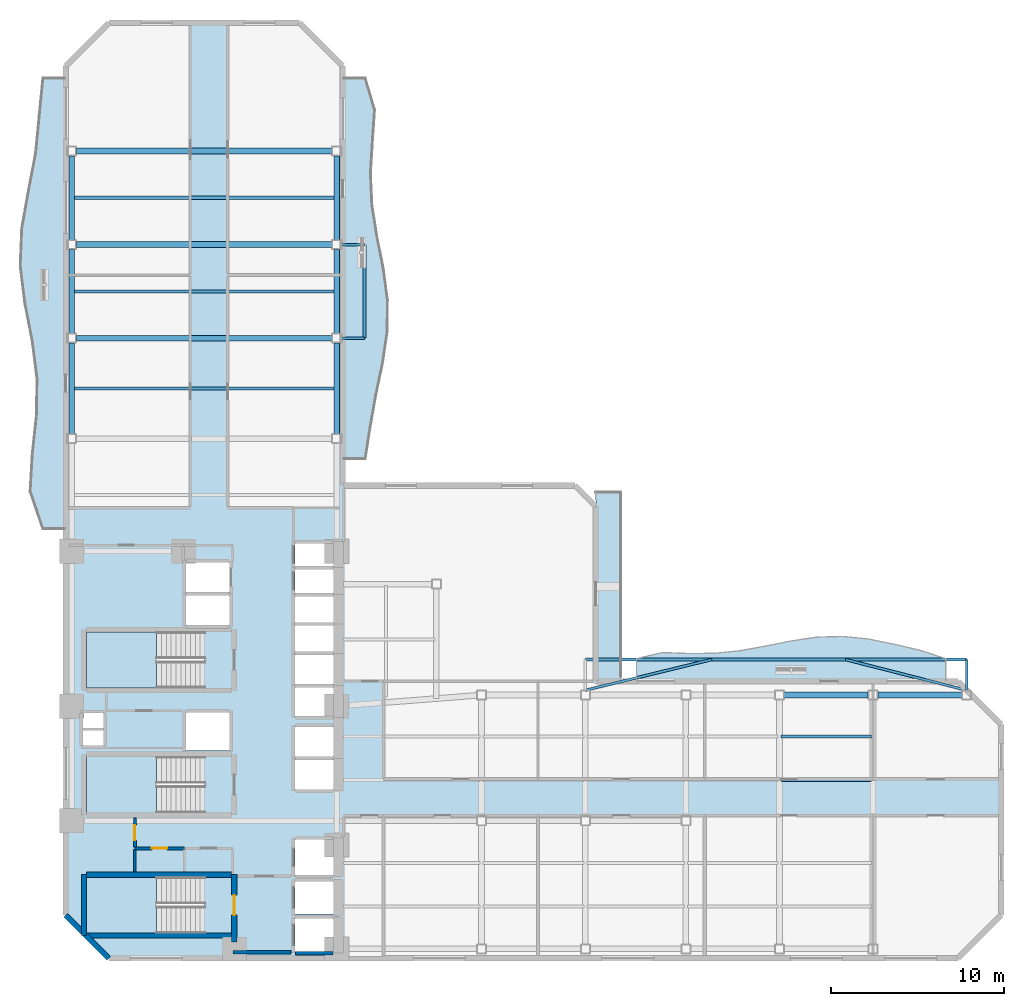
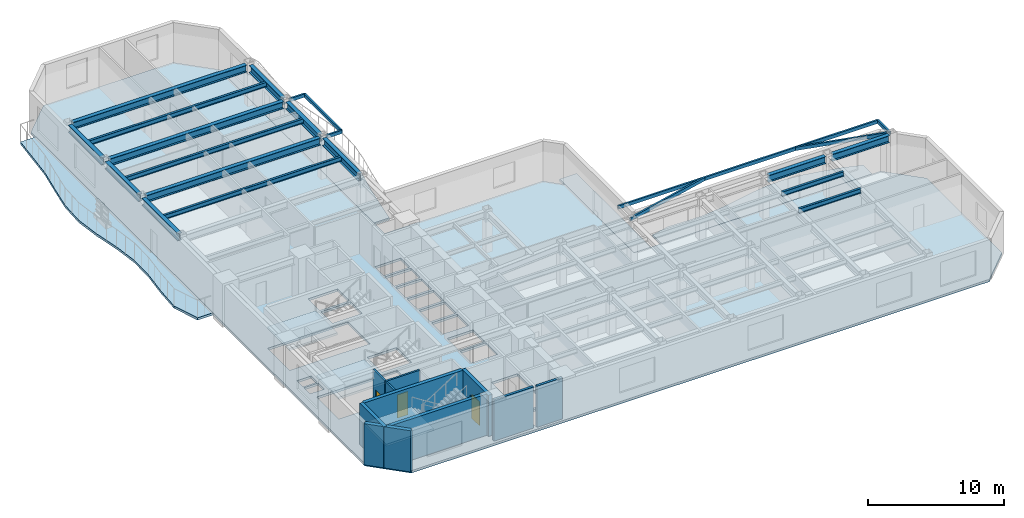
# One storey, part 2 of 10: 23 beams, 10 walls, 8 slabs, 3 doors, 3 openings, 3 elements without a shape of their own.
"""IFC4 building model written with IfcOpenShell, lengths in metres."""

from ifc_helpers import new_model, si_unit, direction, frame, frame_2d, origin, origin_2d, place, context, subcontext, project, spatial, polyline, rectangle, hollow_rectangle, i_section, outline, extrude, material, layer, layer_set, material_profile, profile_set, type_object, element, fill, aggregate, save


model = new_model("IFC4")

# Units and contexts
model_context = context("Model", 3, precision=1e-05, world=origin(), true_north=direction((0.0, 1.0)))
body_context = subcontext(model_context, "Body", "Model", "MODEL_VIEW")
ifc_project = project(units=[si_unit("LENGTHUNIT", "METRE"), si_unit("AREAUNIT", "SQUARE_METRE"), si_unit("VOLUMEUNIT", "CUBIC_METRE"), si_unit("PLANEANGLEUNIT", "RADIAN"), si_unit("MASSUNIT", "GRAM", prefix="KILO")], contexts=[model_context])

# Site, building, storey
site_placement = place(None, origin())
site = spatial("IfcSite", under=ifc_project, at=site_placement, CompositionType="ELEMENT")
building_placement = place(site_placement, origin())
building = spatial("IfcBuilding", under=site, at=building_placement, Name="Mawjaban Terraces University", CompositionType="ELEMENT")
storey_placement = place(building_placement, frame((0.0, 0.0, 50.5)))
storey = spatial("IfcBuildingStorey", under=building, at=storey_placement, Name="L11", CompositionType="ELEMENT", Elevation=50.5)

# Beams
ifc_material_1 = material(Name="Steel EN 10210-1 S355J2H", Category="steel")
ifc_material_profile_1 = material_profile(ifc_material_1, hollow_rectangle(XDim=0.14990234375, YDim=0.300048828125, WallThickness=0.012451171875, at=origin_2d()), Name="RHS300X150X12.5")
ifc_profile_set_1 = profile_set([ifc_material_profile_1], Name="Steel EN 10210-1 S355J2H")
beam_type_1 = type_object("IfcBeamType", Name="BalconyCantileverSpandrel_RHS", PredefinedType="SPANDREL", material=ifc_profile_set_1)
beam_1_placement = place(storey_placement, frame((74.0, 15.47509765625, 3.5400390625), z_axis=(0.0, 1.0, 0.0), x_axis=(-1.0, 0.0, 0.0)))
element("IfcBeam", 1, at=beam_1_placement, inside=storey, type_object=beam_type_1, Name="L11 Exterior Outrigger BAL-L12-N.2", PredefinedType="SPANDREL", context=body_context, shape_type="SweptSolid", body=[
    extrude(hollow_rectangle(XDim=0.14990234375, YDim=0.300048828125, WallThickness=0.012451171875, at=origin_2d()), origin(), (0.0, 0.0, 1.0), 1.77490234375),
])
beam_2_placement = place(storey_placement, frame((52.0, 17.25, 3.5400390625), z_axis=(1.0, 0.0, 0.0), x_axis=(0.0, 1.0, 0.0)))
element("IfcBeam", 2, at=beam_2_placement, inside=storey, type_object=beam_type_1, Name="L11 Exterior Edge Spandrel BAL-L12-N", PredefinedType="SPANDREL", context=body_context, shape_type="SweptSolid", body=[
    extrude(hollow_rectangle(XDim=0.14990234375, YDim=0.300048828125, WallThickness=0.012451171875, at=origin_2d()), origin(), (0.0, 0.0, 1.0), 22.0),
])
beam_3_placement = place(storey_placement, frame((52.0, 15.47509765625, 3.5400390625), z_axis=(0.971617089305, 0.236559150678, 0.0), x_axis=(-0.236559150678, 0.971617089305, 0.0)))
element("IfcBeam", 3, at=beam_3_placement, inside=storey, type_object=beam_type_1, Name="L11 Exterior Diagonal Strut BAL-L12-N.1", PredefinedType="SPANDREL", context=body_context, shape_type="SweptSolid", body=[
    extrude(hollow_rectangle(XDim=0.14990234375, YDim=0.300048828125, WallThickness=0.012451171875, at=origin_2d()), origin(), (0.0, 0.0, 1.0), 7.5029296875),
])
beam_4_placement = place(storey_placement, frame((74.0, 15.47509765625, 3.5400390625), z_axis=(-0.96924179348, 0.246110434096, 0.0), x_axis=(-0.246110434096, -0.96924179348, 0.0)))
element("IfcBeam", 4, at=beam_4_placement, inside=storey, type_object=beam_type_1, Name="L11 Exterior Diagonal Strut BAL-L12-N.2", PredefinedType="SPANDREL", context=body_context, shape_type="SweptSolid", body=[
    extrude(hollow_rectangle(XDim=0.14990234375, YDim=0.300048828125, WallThickness=0.012451171875, at=origin_2d()), origin(), (0.0, 0.0, 1.0), 7.2119140625),
])
for number, where, z_axis, x_axis, name in (
    (5, (37.925048828125, 35.800048828125, 3.5400390625), (1.0, 0.0, 0.0), (0.0, 1.0, 0.0), "L11 Exterior Outrigger BAL-L12-E.1"),
    (6, (37.925048828125, 41.199951171875, 3.5400390625), (1.0, 0.0, 0.0), (0.0, 1.0, 0.0), "L11 Exterior Outrigger BAL-L12-E.2"),
):
    element("IfcBeam", number, at=place(storey_placement, frame(where, z_axis=z_axis, x_axis=x_axis)), inside=storey, type_object=beam_type_1, Name=name, PredefinedType="SPANDREL", context=body_context, shape_type="SweptSolid", body=[
        extrude(hollow_rectangle(XDim=0.14990234375, YDim=0.300048828125, WallThickness=0.012451171875, at=origin_2d()), origin(), (0.0, 0.0, 1.0), 1.324951171875),
    ])
beam_5_placement = place(storey_placement, frame((39.25, 35.800048828125, 3.5400390625), z_axis=(0.0, 1.0, 0.0), x_axis=(-1.0, 0.0, 0.0)))
element("IfcBeam", 7, at=beam_5_placement, inside=storey, type_object=beam_type_1, Name="L11 Exterior Edge Spandrel BAL-L12-E", PredefinedType="SPANDREL", context=body_context, shape_type="SweptSolid", body=[
    extrude(hollow_rectangle(XDim=0.14990234375, YDim=0.300048828125, WallThickness=0.012451171875, at=origin_2d()), origin(), (0.0, 0.0, 1.0), 5.39990234375),
])
ifc_material_2 = material(Name="Steel ASTM A572 Grade 50", Category="steel")
ifc_material_profile_2 = material_profile(ifc_material_2, i_section(OverallWidth=0.3291015625, OverallDepth=0.635009765625, WebThickness=0.017822265625, FlangeThickness=0.031005859375, at=origin_2d()), Name="W610X241")
ifc_profile_set_2 = profile_set([ifc_material_profile_2], Name="Steel ASTM A572 Grade 50")
beam_type_2 = type_object("IfcBeamType", Name="Beam_B_W610X241", PredefinedType="BEAM", material=ifc_profile_set_2)
beam_6_placement = place(storey_placement, frame((63.47509765625, 15.199951171875, 3.3720703125), z_axis=(1.0, 0.0, 0.0), x_axis=(0.0, 1.0, 0.0)))
element("IfcBeam", 8, at=beam_6_placement, inside=storey, type_object=beam_type_2, Name="L11 Beam BM-L11-EW-12", PredefinedType="BEAM", context=body_context, shape_type="SweptSolid", body=[
    extrude(i_section(OverallWidth=0.3291015625, OverallDepth=0.635009765625, WebThickness=0.017822265625, FlangeThickness=0.031005859375, at=origin_2d()), origin(), (0.0, 0.0, 1.0), 4.849853515625),
])
beam_7_placement = place(storey_placement, frame((68.875, 15.199951171875, 3.3720703125), z_axis=(1.0, 0.0, 0.0), x_axis=(0.0, 1.0, 0.0)))
element("IfcBeam", 9, at=beam_7_placement, inside=storey, type_object=beam_type_2, Name="L11 Beam BM-L11-EW-13", PredefinedType="BEAM", context=body_context, shape_type="SweptSolid", body=[
    extrude(i_section(OverallWidth=0.3291015625, OverallDepth=0.635009765625, WebThickness=0.017822265625, FlangeThickness=0.031005859375, at=origin_2d()), origin(), (0.0, 0.0, 1.0), 4.85009765625),
])
for number, where, z_axis, x_axis, name in (
    (10, (22.625, 35.800048828125, 3.3720703125), (1.0, 0.0, 0.0), (0.0, 1.0, 0.0), "L11 Beam BM-L11-EW-16"),
    (11, (22.625, 41.199951171875, 3.3720703125), (1.0, 0.0, 0.0), (0.0, 1.0, 0.0), "L11 Beam BM-L11-EW-17"),
    (12, (22.625, 46.60009765625, 3.3720703125), (1.0, 0.0, 0.0), (0.0, 1.0, 0.0), "L11 Beam BM-L11-EW-18"),
):
    element("IfcBeam", number, at=place(storey_placement, frame(where, z_axis=z_axis, x_axis=x_axis)), inside=storey, type_object=beam_type_2, Name=name, PredefinedType="BEAM", context=body_context, shape_type="SweptSolid", body=[
        extrude(i_section(OverallWidth=0.3291015625, OverallDepth=0.635009765625, WebThickness=0.017822265625, FlangeThickness=0.031005859375, at=origin_2d()), origin(), (0.0, 0.0, 1.0), 14.75),
    ])
beam_8_placement = place(storey_placement, frame((22.35009765625, 30.27490234375, 3.3720703125), z_axis=(0.0, 1.0, 0.0), x_axis=(-1.0, 0.0, 0.0)))
element("IfcBeam", 13, at=beam_8_placement, inside=storey, type_object=beam_type_2, Name="L11 Beam BM-L11-NS-04", PredefinedType="BEAM", context=body_context, shape_type="SweptSolid", body=[
    extrude(i_section(OverallWidth=0.3291015625, OverallDepth=0.635009765625, WebThickness=0.017822265625, FlangeThickness=0.031005859375, at=origin_2d()), origin(), (0.0, 0.0, 1.0), 5.25),
])
beam_9_placement = place(storey_placement, frame((22.35009765625, 36.074951171875, 3.3720703125), z_axis=(0.0, 1.0, 0.0), x_axis=(-1.0, 0.0, 0.0)))
element("IfcBeam", 14, at=beam_9_placement, inside=storey, type_object=beam_type_2, Name="L11 Beam BM-L11-NS-05", PredefinedType="BEAM", context=body_context, shape_type="SweptSolid", body=[
    extrude(i_section(OverallWidth=0.3291015625, OverallDepth=0.635009765625, WebThickness=0.017822265625, FlangeThickness=0.031005859375, at=origin_2d()), origin(), (0.0, 0.0, 1.0), 4.85009765625),
])
beam_10_placement = place(storey_placement, frame((22.35009765625, 41.47509765625, 3.3720703125), z_axis=(0.0, 1.0, 0.0), x_axis=(-1.0, 0.0, 0.0)))
element("IfcBeam", 15, at=beam_10_placement, inside=storey, type_object=beam_type_2, Name="L11 Beam BM-L11-NS-06", PredefinedType="BEAM", context=body_context, shape_type="SweptSolid", body=[
    extrude(i_section(OverallWidth=0.3291015625, OverallDepth=0.635009765625, WebThickness=0.017822265625, FlangeThickness=0.031005859375, at=origin_2d()), origin(), (0.0, 0.0, 1.0), 4.849853515625),
])
beam_11_placement = place(storey_placement, frame((37.64990234375, 30.27490234375, 3.3720703125), z_axis=(0.0, 1.0, 0.0), x_axis=(-1.0, 0.0, 0.0)))
element("IfcBeam", 16, at=beam_11_placement, inside=storey, type_object=beam_type_2, Name="L11 Beam BM-L11-NS-11", PredefinedType="BEAM", context=body_context, shape_type="SweptSolid", body=[
    extrude(i_section(OverallWidth=0.3291015625, OverallDepth=0.635009765625, WebThickness=0.017822265625, FlangeThickness=0.031005859375, at=origin_2d()), origin(), (0.0, 0.0, 1.0), 5.25),
])
beam_12_placement = place(storey_placement, frame((37.64990234375, 36.074951171875, 3.3720703125), z_axis=(0.0, 1.0, 0.0), x_axis=(-1.0, 0.0, 0.0)))
element("IfcBeam", 17, at=beam_12_placement, inside=storey, type_object=beam_type_2, Name="L11 Beam BM-L11-NS-12", PredefinedType="BEAM", context=body_context, shape_type="SweptSolid", body=[
    extrude(i_section(OverallWidth=0.3291015625, OverallDepth=0.635009765625, WebThickness=0.017822265625, FlangeThickness=0.031005859375, at=origin_2d()), origin(), (0.0, 0.0, 1.0), 4.85009765625),
])
beam_13_placement = place(storey_placement, frame((37.64990234375, 41.47509765625, 3.3720703125), z_axis=(0.0, 1.0, 0.0), x_axis=(-1.0, 0.0, 0.0)))
element("IfcBeam", 18, at=beam_13_placement, inside=storey, type_object=beam_type_2, Name="L11 Beam BM-L11-NS-13", PredefinedType="BEAM", context=body_context, shape_type="SweptSolid", body=[
    extrude(i_section(OverallWidth=0.3291015625, OverallDepth=0.635009765625, WebThickness=0.017822265625, FlangeThickness=0.031005859375, at=origin_2d()), origin(), (0.0, 0.0, 1.0), 4.849853515625),
])
ifc_material_profile_3 = material_profile(ifc_material_2, i_section(OverallWidth=0.179931640625, OverallDepth=0.4130859375, WebThickness=0.009765625, FlangeThickness=0.01611328125, at=origin_2d()), Name="W410X74")
ifc_profile_set_3 = profile_set([ifc_material_profile_3], Name="Steel ASTM A572 Grade 50")
beam_type_3 = type_object("IfcBeamType", Name="Beam_J_W410X74", PredefinedType="JOIST", material=ifc_profile_set_3)
for number, where, z_axis, x_axis, name in (
    (19, (63.280029296875, 10.300048828125, 3.48291015625), (1.0, 0.0, 0.0), (0.0, 1.0, 0.0), "L11 Composite Joist JST-L11-15"),
    (20, (63.280029296875, 12.800048828125, 3.48291015625), (1.0, 0.0, 0.0), (0.0, 1.0, 0.0), "L11 Composite Joist JST-L11-20"),
):
    element("IfcBeam", number, at=place(storey_placement, frame(where, z_axis=z_axis, x_axis=x_axis)), inside=storey, type_object=beam_type_3, Name=name, PredefinedType="JOIST", context=body_context, shape_type="SweptSolid", body=[
        extrude(i_section(OverallWidth=0.179931640625, OverallDepth=0.4130859375, WebThickness=0.009765625, FlangeThickness=0.01611328125, at=origin_2d()), origin(), (0.0, 0.0, 1.0), 5.239990234375),
    ])
for number, where, z_axis, x_axis, name in (
    (21, (22.429931640625, 32.89990234375, 3.48291015625), (1.0, 0.0, 0.0), (0.0, 1.0, 0.0), "L11 Composite Joist JST-L11-23"),
    (22, (22.429931640625, 38.5, 3.48291015625), (1.0, 0.0, 0.0), (0.0, 1.0, 0.0), "L11 Composite Joist JST-L11-24"),
    (23, (22.429931640625, 43.89990234375, 3.48291015625), (1.0, 0.0, 0.0), (0.0, 1.0, 0.0), "L11 Composite Joist JST-L11-25"),
):
    element("IfcBeam", number, at=place(storey_placement, frame(where, z_axis=z_axis, x_axis=x_axis)), inside=storey, type_object=beam_type_3, Name=name, PredefinedType="JOIST", context=body_context, shape_type="SweptSolid", body=[
        extrude(i_section(OverallWidth=0.179931640625, OverallDepth=0.4130859375, WebThickness=0.009765625, FlangeThickness=0.01611328125, at=origin_2d()), origin(), (0.0, 0.0, 1.0), 15.14013671875),
    ])

# Slabs
ifc_material_3 = material(Name="Concrete C40/50", Category="concrete")
ifc_layer_1 = layer(ifc_material_3, 0.2099609375)
ifc_layer_set_1 = layer_set([ifc_layer_1], Name="Concrete C40/50")
slab_type_1 = type_object("IfcSlabType", Name="BalconySlab_210_Ext", PredefinedType="FLOOR", material=ifc_layer_set_1)
slab_1_placement = place(storey_placement, frame((0.0, 0.0, -0.2099609375)))
element("IfcSlab", 24, at=slab_1_placement, inside=storey, type_object=slab_type_1, Name="L11 Planted Balcony Slab west", PredefinedType="FLOOR", context=body_context, shape_type="SweptSolid", body=[
    extrude(outline(polyline([(22.010009765625, 24.800048828125), (22.010009765625, 50.800048828125), (20.699951171875, 50.800048828125), (20.489013671875, 48.633056640625), (20.280029296875, 46.467041015625), (19.864990234375, 44.300048828125), (19.48095703125, 42.133056640625), (19.39306640625, 39.967041015625), (19.6630859375, 37.800048828125), (20.087890625, 35.633056640625), (20.363037109375, 33.467041015625), (20.324951171875, 31.300048828125), (20.090087890625, 29.133056640625), (19.966064453125, 26.967041015625), (20.699951171875, 24.800048828125), (22.010009765625, 24.800048828125)])), origin(), (0.0, 0.0, 1.0), 0.2099609375),
])
slab_2_placement = place(storey_placement, frame((0.0, 0.0, -0.2099609375)))
element("IfcSlab", 25, at=slab_2_placement, inside=storey, type_object=slab_type_1, Name="L11 Planted Balcony Slab inner_north", PredefinedType="FLOOR", context=body_context, shape_type="SweptSolid", body=[
    extrude(outline(polyline([(54.949951171875, 15.989990234375), (72.800048828125, 15.989990234375), (72.800048828125, 17.300048828125), (71.31201171875, 17.781005859375), (69.824951171875, 18.132080078125), (68.337890625, 18.430908203125), (66.85009765625, 18.5830078125), (65.362060546875, 18.5400390625), (63.875, 18.323974609375), (62.387939453125, 18.02392578125), (60.89990234375, 17.7548828125), (59.4130859375, 17.60595703125), (57.925048828125, 17.596923828125), (56.43798828125, 17.652099609375), (54.949951171875, 17.300048828125), (54.949951171875, 15.989990234375)])), origin(), (0.0, 0.0, 1.0), 0.2099609375),
])
slab_3_placement = place(storey_placement, frame((0.0, 0.0, -0.2099609375)))
element("IfcSlab", 26, at=slab_3_placement, inside=storey, type_object=slab_type_1, Name="L11 Planted Balcony Slab inner_east", PredefinedType="FLOOR", context=body_context, shape_type="SweptSolid", body=[
    extrude(outline(polyline([(39.300048828125, 28.846923828125), (39.587890625, 30.676025390625), (39.908935546875, 32.506103515625), (40.294921875, 34.3349609375), (40.56689453125, 36.1650390625), (40.583984375, 37.993896484375), (40.342041015625, 39.822998046875), (39.97802734375, 41.653076171875), (39.68798828125, 43.48193359375), (39.60595703125, 45.31201171875), (39.715087890625, 47.14111328125), (39.841064453125, 48.970947265625), (39.300048828125, 50.800048828125), (37.989990234375, 50.800048828125), (37.989990234375, 28.846923828125), (39.300048828125, 28.846923828125)])), origin(), (0.0, 0.0, 1.0), 0.2099609375),
])
ifc_layer_2 = layer(ifc_material_3, 0.2099609375)
ifc_layer_set_2 = layer_set([ifc_layer_2], Name="Concrete C40/50")
slab_type_2 = type_object("IfcSlabType", Name="CompositeSlab_210", PredefinedType="FLOOR", material=ifc_layer_set_2)
slab_4_placement = place(storey_placement, frame((0.0, 0.0, -0.2099609375)))
element("IfcSlab", 27, at=slab_4_placement, inside=storey, type_object=slab_type_2, Name="L11 Primary Structural Slab", PredefinedType="FLOOR", context=body_context, shape_type="SweptSolid", body=[
    extrude(outline(polyline([(24.5, 0.0), (73.5, 0.0), (76.0, 2.5), (76.0, 13.5), (73.5, 16.0), (52.60009765625, 16.0), (52.60009765625, 26.094970703125), (51.39990234375, 27.294921875), (38.0, 27.294921875), (38.0, 51.5), (35.5, 54.0), (24.5, 54.0), (22.0, 51.5), (22.0, 2.5), (24.5, 0.0)]), holes=[polyline([(30.014892578125, 4.699951171875), (23.199951171875, 4.699951171875), (23.199951171875, 1.449951171875), (30.014892578125, 1.449951171875), (30.014892578125, 4.699951171875)]), polyline([(30.014892578125, 18.85009765625), (23.199951171875, 18.85009765625), (23.199951171875, 15.60009765625), (30.014892578125, 15.60009765625), (30.014892578125, 18.85009765625)]), polyline([(30.014892578125, 11.64990234375), (23.199951171875, 11.64990234375), (23.199951171875, 8.39990234375), (30.014892578125, 8.39990234375), (30.014892578125, 11.64990234375)]), polyline([(35.25, 0.39990234375), (37.449951171875, 0.39990234375), (37.449951171875, 2.300048828125), (35.25, 2.300048828125), (35.25, 0.39990234375)]), polyline([(35.25, 2.550048828125), (37.449951171875, 2.550048828125), (37.449951171875, 4.449951171875), (35.25, 4.449951171875), (35.25, 2.550048828125)]), polyline([(35.25, 4.800048828125), (37.449951171875, 4.800048828125), (37.449951171875, 6.85009765625), (35.25, 6.85009765625), (35.25, 4.800048828125)]), polyline([(35.25, 9.75), (37.449951171875, 9.75), (37.449951171875, 11.449951171875), (35.25, 11.449951171875), (35.25, 9.75)]), polyline([(35.25, 11.64990234375), (37.449951171875, 11.64990234375), (37.449951171875, 13.35009765625), (35.25, 13.35009765625), (35.25, 11.64990234375)]), polyline([(28.949951171875, 12.0), (31.449951171875, 12.0), (31.449951171875, 14.199951171875), (28.949951171875, 14.199951171875), (28.949951171875, 12.0)]), polyline([(35.25, 14.0), (37.449951171875, 14.0), (37.449951171875, 15.64990234375), (35.25, 15.64990234375), (35.25, 14.0)]), polyline([(35.25, 15.85009765625), (37.449951171875, 15.85009765625), (37.449951171875, 17.5), (35.25, 17.5), (35.25, 15.85009765625)]), polyline([(35.25, 17.699951171875), (37.449951171875, 17.699951171875), (37.449951171875, 19.199951171875), (35.25, 19.199951171875), (35.25, 17.699951171875)]), polyline([(35.25, 19.39990234375), (37.449951171875, 19.39990234375), (37.449951171875, 20.89990234375), (35.25, 20.89990234375), (35.25, 19.39990234375)]), polyline([(28.949951171875, 19.25), (31.449951171875, 19.25), (31.449951171875, 20.949951171875), (28.949951171875, 20.949951171875), (28.949951171875, 19.25)]), polyline([(35.25, 21.10009765625), (37.449951171875, 21.10009765625), (37.449951171875, 22.449951171875), (35.25, 22.449951171875), (35.25, 21.10009765625)]), polyline([(35.25, 22.64990234375), (37.449951171875, 22.64990234375), (37.449951171875, 23.949951171875), (35.25, 23.949951171875), (35.25, 22.64990234375)]), polyline([(28.949951171875, 21.14990234375), (31.449951171875, 21.14990234375), (31.449951171875, 22.85009765625), (28.949951171875, 22.85009765625), (28.949951171875, 21.14990234375)]), polyline([(23.0, 12.25), (24.199951171875, 12.25), (24.199951171875, 13.14990234375), (23.0, 13.14990234375), (23.0, 12.25)]), polyline([(23.0, 13.300048828125), (24.199951171875, 13.300048828125), (24.199951171875, 14.179931640625), (23.0, 14.179931640625), (23.0, 13.300048828125)])]), origin(), (0.0, 0.0, 1.0), 0.2099609375),
])

# Stair, slab
stair_type = type_object("IfcStairType", Name="Stair_Core1550_H39", PredefinedType="HALF_TURN_STAIR", material=ifc_material_3)
stair_1_placement = place(storey_placement, origin())
stair_1 = element("IfcStair", 28, at=stair_1_placement, inside=storey, type_object=stair_type, Name="L11 Core Exit Stair 1", PredefinedType="HALF_TURN_STAIR")
ifc_layer_3 = layer(ifc_material_3, 0.199951171875)
ifc_layer_set_3 = layer_set([ifc_layer_3], Name="Concrete C40/50")
slab_type_3 = type_object("IfcSlabType", Name="StairLandingSlab_200", PredefinedType="LANDING", material=ifc_layer_set_3)
slab_5_placement = place(storey_placement, frame((0.0, 0.0, 1.75)))
slab_5 = element("IfcSlab", 29, at=slab_5_placement, type_object=slab_type_3, Name="ST-1 landing 1", PredefinedType="LANDING", context=body_context, shape_type="SweptSolid", body=[
    extrude(outline(polyline([(27.25, 4.699951171875), (23.199951171875, 4.699951171875), (23.199951171875, 1.449951171875), (27.25, 1.449951171875), (27.25, 4.699951171875)])), origin(), (0.0, 0.0, 1.0), 0.199951171875),
])
aggregate(stair_1, [slab_5])

stair_2_placement = place(storey_placement, origin())
stair_2 = element("IfcStair", 30, at=stair_2_placement, inside=storey, type_object=stair_type, Name="L11 Core Exit Stair 2", PredefinedType="HALF_TURN_STAIR")
slab_6_placement = place(storey_placement, frame((0.0, 0.0, 1.75)))
slab_6 = element("IfcSlab", 31, at=slab_6_placement, type_object=slab_type_3, Name="ST-2 landing 1", PredefinedType="LANDING", context=body_context, shape_type="SweptSolid", body=[
    extrude(outline(polyline([(27.25, 18.85009765625), (23.199951171875, 18.85009765625), (23.199951171875, 15.60009765625), (27.25, 15.60009765625), (27.25, 18.85009765625)])), origin(), (0.0, 0.0, 1.0), 0.199951171875),
])
aggregate(stair_2, [slab_6])

stair_3_placement = place(storey_placement, origin())
stair_3 = element("IfcStair", 32, at=stair_3_placement, inside=storey, type_object=stair_type, Name="L11 Core Exit Stair 3", PredefinedType="HALF_TURN_STAIR")
slab_7_placement = place(storey_placement, frame((0.0, 0.0, 1.75)))
slab_7 = element("IfcSlab", 33, at=slab_7_placement, type_object=slab_type_3, Name="ST-3 landing 1", PredefinedType="LANDING", context=body_context, shape_type="SweptSolid", body=[
    extrude(outline(polyline([(27.25, 11.64990234375), (23.199951171875, 11.64990234375), (23.199951171875, 8.39990234375), (27.25, 8.39990234375), (27.25, 11.64990234375)])), origin(), (0.0, 0.0, 1.0), 0.199951171875),
])
aggregate(stair_3, [slab_7])

# Slab
ifc_layer_4 = layer(ifc_material_3, 0.2099609375)
ifc_layer_set_4 = layer_set([ifc_layer_4], Name="Concrete C40/50")
slab_type_4 = type_object("IfcSlabType", Name="StudyTerraceSlab_210_Ext", PredefinedType="FLOOR", material=ifc_layer_set_4)
slab_8_placement = place(storey_placement, frame((0.0, 0.0, -0.2099609375)))
element("IfcSlab", 34, at=slab_8_placement, inside=storey, type_object=slab_type_4, Name="L11 Exterior Study Terrace Slab", PredefinedType="FLOOR", context=body_context, shape_type="SweptSolid", body=[
    extrude(outline(polyline([(52.60009765625, 16.0), (54.050048828125, 16.0), (54.050048828125, 26.89501953125), (52.60009765625, 26.89501953125), (52.60009765625, 16.0)])), origin(), (0.0, 0.0, 1.0), 0.2099609375),
])

# Wall, opening, door
ifc_material_4 = material(Name="Fire-rated gypsum board on steel stud", Category="steel")
ifc_layer_5 = layer(ifc_material_4, 0.159912109375)
ifc_layer_set_5 = layer_set([ifc_layer_5], Name="Fire-rated gypsum board on steel stud")
wall_type_1 = type_object("IfcWallType", Name="CorridorPartition_160", PredefinedType="PARTITIONING", material=ifc_layer_set_5)
wall_1_placement = place(storey_placement, frame((26.0, 6.35009765625, 0.0), z_axis=(0.0, 0.0, 1.0), x_axis=(1.0, 0.0, 0.0)))
wall_1 = element("IfcWall", 35, at=wall_1_placement, inside=storey, type_object=wall_type_1, Name="L11 Core Washroom Lobby Partition 3", PredefinedType="PARTITIONING", context=body_context, shape_type="SweptSolid", body=[
    extrude(rectangle(XDim=2.85009765625, YDim=0.159912109375, at=frame_2d((1.425048828125, 0.0))), origin(), (0.0, 0.0, 1.0), 3.68994140625),
])
opening_1_placement = place(wall_1_placement, frame((0.985107421875, 0.0, 0.0)))
opening_1 = element("IfcOpeningElement", 36, at=opening_1_placement, cuts=wall_1, Name="Opening ID-088", PredefinedType="OPENING", context=body_context, shape_type="SweptSolid", body=[
    extrude(rectangle(XDim=0.8798828125, YDim=2.10009765625, at=frame_2d((0.43994140625, 1.050048828125))), frame((0.0, 0.08984375, 0.0), z_axis=(0.0, -1.0, 0.0), x_axis=(1.0, 0.0, 0.0)), (0.0, 0.0, 1.0), 0.179931640625),
])
ifc_material_5 = material(Name="Powder-coated steel frame and solid acoustic timber leaf", Category="steel")
door_type_1 = type_object("IfcDoorType", Name="ToiletDoor_880x2100", OperationType="NOTDEFINED", PredefinedType="DOOR", material=ifc_material_5)
door_1_placement = place(opening_1_placement, origin())
door_1 = element("IfcDoor", 37, at=door_1_placement, inside=storey, type_object=door_type_1, Name="L11 Male Toilet Door", OperationType="SINGLE_SWING_LEFT", OverallHeight=2.10009765625, OverallWidth=0.8798828125, PredefinedType="DOOR", context=body_context, shape_type="SweptSolid", body=[
    extrude(rectangle(XDim=0.8798828125, YDim=2.10009765625, at=frame_2d((0.43994140625, 1.050048828125))), frame((0.0, 0.02490234375, 0.0), z_axis=(0.0, -1.0, 0.0), x_axis=(1.0, 0.0, 0.0)), (0.0, 0.0, 1.0), 0.050048828125),
])
fill(opening_1, door_1)

wall_2_placement = place(storey_placement, frame((26.0, 8.090087890625, 0.0), z_axis=(0.0, 0.0, 1.0), x_axis=(0.0, -1.0, 0.0)))
wall_2 = element("IfcWall", 38, at=wall_2_placement, inside=storey, type_object=wall_type_1, Name="L11 Core Washroom Lobby Partition 28", PredefinedType="PARTITIONING", context=body_context, shape_type="SweptSolid", body=[
    extrude(rectangle(XDim=1.6650390625, YDim=0.159912109375, at=frame_2d((0.83251953125, 0.0))), origin(), (0.0, 0.0, 1.0), 3.68994140625),
])
opening_2_placement = place(wall_2_placement, frame((0.39306640625, 0.0, 0.0)))
opening_2 = element("IfcOpeningElement", 39, at=opening_2_placement, cuts=wall_2, Name="Opening ID-088", PredefinedType="OPENING", context=body_context, shape_type="SweptSolid", body=[
    extrude(rectangle(XDim=0.8798828125, YDim=2.10009765625, at=frame_2d((0.43994140625, 1.050048828125))), frame((0.0, 0.08984375, 0.0), z_axis=(0.0, -1.0, 0.0), x_axis=(1.0, 0.0, 0.0)), (0.0, 0.0, 1.0), 0.179931640625),
])
door_2_placement = place(opening_2_placement, origin())
door_2 = element("IfcDoor", 40, at=door_2_placement, inside=storey, type_object=door_type_1, Name="L11 Ablution Room Door", OperationType="SINGLE_SWING_RIGHT", OverallHeight=2.10009765625, OverallWidth=0.8798828125, PredefinedType="DOOR", context=body_context, shape_type="SweptSolid", body=[
    extrude(rectangle(XDim=0.8798828125, YDim=2.10009765625, at=frame_2d((0.43994140625, 1.050048828125))), frame((0.0, 0.02490234375, 0.0), z_axis=(0.0, -1.0, 0.0), x_axis=(1.0, 0.0, 0.0)), (0.0, 0.0, 1.0), 0.050048828125),
])
fill(opening_2, door_2)

# Walls
ifc_material_6 = material(Name="Insulated terracotta rainscreen on concrete backup C40/50", Category="masonry")
ifc_layer_6 = layer(ifc_material_6, 0.320068359375)
ifc_layer_set_6 = layer_set([ifc_layer_6], Name="Insulated terracotta rainscreen on concrete backup C40/50")
wall_type_2 = type_object("IfcWallType", Name="ExtTerracottaWall_320", PredefinedType="SOLIDWALL", material=ifc_layer_set_6)
wall_3_placement = place(storey_placement, frame((22.0, 2.5, 0.0), z_axis=(0.0, 0.0, 1.0), x_axis=(0.707106781187, -0.707106781187, 0.0)))
element("IfcWall", 41, at=wall_3_placement, inside=storey, type_object=wall_type_2, Name="L11 Exterior Terracotta Wall 14", PredefinedType="SOLIDWALL", context=body_context, shape_type="SweptSolid", body=[
    extrude(rectangle(XDim=3.53564453125, YDim=0.320068359375, at=frame_2d((1.767822265625, 0.0))), origin(), (0.0, 0.0, 1.0), 3.68994140625),
])
ifc_layer_7 = layer(ifc_material_3, 0.199951171875)
ifc_layer_set_7 = layer_set([ifc_layer_7], Name="Concrete C40/50")
wall_type_3 = type_object("IfcWallType", Name="FireLobbyWall_200", PredefinedType="SOLIDWALL", material=ifc_layer_set_7)
wall_4_placement = place(storey_placement, frame((35.280029296875, 0.300048828125, 0.0), z_axis=(0.0, 0.0, 1.0), x_axis=(1.0, 0.0, 0.0)))
element("IfcWall", 42, at=wall_4_placement, inside=storey, type_object=wall_type_3, Name="L11 Lift FL-1 Hoistway Wall South", PredefinedType="SOLIDWALL", context=body_context, shape_type="SweptSolid", body=[
    extrude(rectangle(XDim=2.139892578125, YDim=0.199951171875, at=frame_2d((1.06982421875, 0.0))), origin(), (0.0, 0.0, 1.0), 3.68994140625),
])
wall_5_placement = place(storey_placement, frame((31.64990234375, 0.35009765625, 0.0), z_axis=(0.0, 0.0, 1.0), x_axis=(1.0, 0.0, 0.0)))
element("IfcWall", 43, at=wall_5_placement, inside=storey, type_object=wall_type_3, Name="L11 Firefighting Lift Lobby Partition 9", PredefinedType="SOLIDWALL", context=body_context, shape_type="SweptSolid", body=[
    extrude(rectangle(XDim=3.3701171875, YDim=0.199951171875, at=frame_2d((1.68505859375, 0.0))), origin(), (0.0, 0.0, 1.0), 3.68994140625),
])
ifc_material_7 = material(Name="Concrete C60/75", Category="concrete")
ifc_layer_8 = layer(ifc_material_7, 0.300048828125)
ifc_layer_set_8 = layer_set([ifc_layer_8], Name="Concrete C60/75")
wall_type_4 = type_object("IfcWallType", Name="StairShaftWall_300", PredefinedType="SHEAR", material=ifc_layer_set_8)
wall_6_placement = place(storey_placement, frame((31.580078125, 4.830078125, 0.0), z_axis=(0.0, 0.0, 1.0), x_axis=(-1.0, 0.0, 0.0)))
element("IfcWall", 44, at=wall_6_placement, inside=storey, type_object=wall_type_4, Name="L11 ST-1 Stair Shaft Wall 1", PredefinedType="SHEAR", context=body_context, shape_type="SweptSolid", body=[
    extrude(rectangle(XDim=8.360107421875, YDim=0.300048828125, at=frame_2d((4.18017578125, 0.0))), origin(), (0.0, 0.0, 1.0), 3.68994140625),
])
wall_7_placement = place(storey_placement, frame((23.070068359375, 4.830078125, 0.0), z_axis=(0.0, 0.0, 1.0), x_axis=(0.0, -1.0, 0.0)))
element("IfcWall", 45, at=wall_7_placement, inside=storey, type_object=wall_type_4, Name="L11 ST-1 Stair Shaft Wall 2", PredefinedType="SHEAR", context=body_context, shape_type="SweptSolid", body=[
    extrude(rectangle(XDim=3.510009765625, YDim=0.300048828125, at=frame_2d((1.7548828125, 0.0))), origin(), (0.0, 0.0, 1.0), 3.68994140625),
])
wall_8_placement = place(storey_placement, frame((23.219970703125, 1.320068359375, 0.0), z_axis=(0.0, 0.0, 1.0), x_axis=(1.0, 0.0, 0.0)))
element("IfcWall", 46, at=wall_8_placement, inside=storey, type_object=wall_type_4, Name="L11 ST-1 Stair Shaft Wall 3", PredefinedType="SHEAR", context=body_context, shape_type="SweptSolid", body=[
    extrude(rectangle(XDim=8.360107421875, YDim=0.300048828125, at=frame_2d((4.18017578125, 0.0))), origin(), (0.0, 0.0, 1.0), 3.68994140625),
])

# Wall, opening, door
wall_9_placement = place(storey_placement, frame((31.72998046875, 0.9599609375, 0.0), z_axis=(0.0, 0.0, 1.0), x_axis=(0.0, 1.0, 0.0)))
wall_9 = element("IfcWall", 47, at=wall_9_placement, inside=storey, type_object=wall_type_4, Name="L11 ST-1 Stair Shaft Wall 4", PredefinedType="SHEAR", context=body_context, shape_type="SweptSolid", body=[
    extrude(rectangle(XDim=3.8701171875, YDim=0.300048828125, at=frame_2d((1.93505859375, 0.0))), origin(), (0.0, 0.0, 1.0), 3.68994140625),
])
opening_3_placement = place(wall_9_placement, frame((1.5400390625, 0.0, 0.0)))
opening_3 = element("IfcOpeningElement", 48, at=opening_3_placement, cuts=wall_9, Name="Opening FD-115", PredefinedType="OPENING", context=body_context, shape_type="SweptSolid", body=[
    extrude(rectangle(XDim=1.14990234375, YDim=2.14990234375, at=frame_2d((0.574951171875, 1.074951171875))), frame((0.0, 0.159912109375, 0.0), z_axis=(0.0, -1.0, 0.0), x_axis=(1.0, 0.0, 0.0)), (0.0, 0.0, 1.0), 0.320068359375),
])
ifc_material_8 = material(Name="Powder-coated steel frame and fire-rated steel-faced leaf", Category="steel")
door_type_2 = type_object("IfcDoorType", Name="FireStairDoor_1150x2150", OperationType="NOTDEFINED", PredefinedType="DOOR", material=ifc_material_8)
door_3_placement = place(opening_3_placement, origin())
door_3 = element("IfcDoor", 49, at=door_3_placement, inside=storey, type_object=door_type_2, Name="L11 ST-1 Pressurised Stair Fire Door", OperationType="SINGLE_SWING_RIGHT", OverallHeight=2.14990234375, OverallWidth=1.14990234375, PredefinedType="DOOR", context=body_context, shape_type="SweptSolid", body=[
    extrude(rectangle(XDim=1.14990234375, YDim=2.14990234375, at=frame_2d((0.574951171875, 1.074951171875))), frame((0.0, 0.02490234375, 0.0), z_axis=(0.0, -1.0, 0.0), x_axis=(1.0, 0.0, 0.0)), (0.0, 0.0, 1.0), 0.050048828125),
])
fill(opening_3, door_3)

# Wall
ifc_material_9 = material(Name="Cement-board wet-room partition", Category="masonry")
ifc_layer_9 = layer(ifc_material_9, 0.135009765625)
ifc_layer_set_9 = layer_set([ifc_layer_9], Name="Cement-board wet-room partition")
wall_type_5 = type_object("IfcWallType", Name="WetRoomPartition_135", PredefinedType="PARTITIONING", material=ifc_layer_set_9)
wall_10_placement = place(storey_placement, frame((26.0, 5.010009765625, 0.0), z_axis=(0.0, 0.0, 1.0), x_axis=(0.0, 1.0, 0.0)))
element("IfcWall", 50, at=wall_10_placement, inside=storey, type_object=wall_type_5, Name="L11 Ablution Room Partition 27", PredefinedType="PARTITIONING", context=body_context, shape_type="SweptSolid", body=[
    extrude(rectangle(XDim=1.264892578125, YDim=0.135009765625, at=frame_2d((0.63232421875, 0.0))), origin(), (0.0, 0.0, 1.0), 3.68994140625),
])

save(model, "model.ifc")
